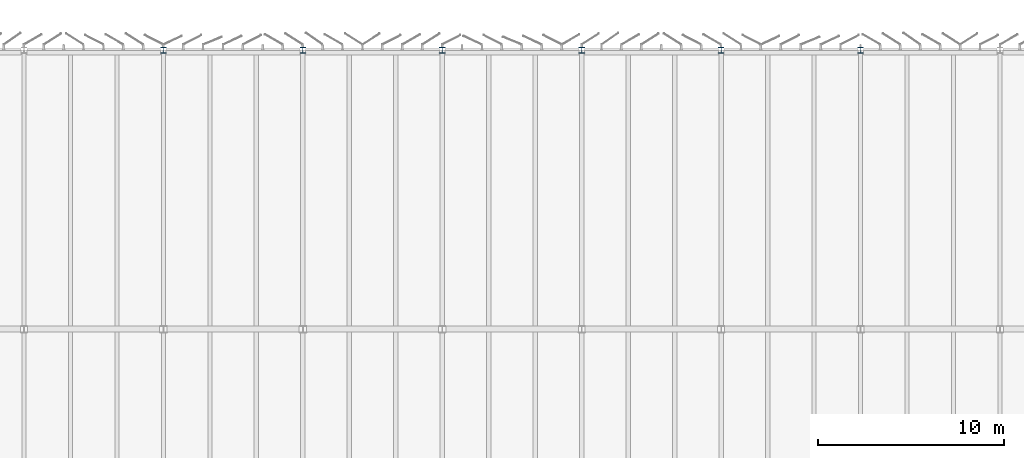
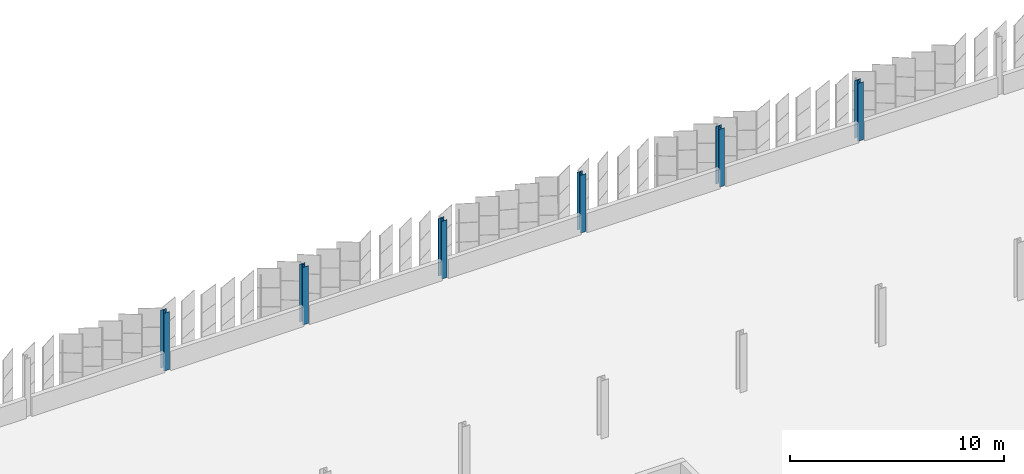
# One storey, part 25 of 199: 6 columns.
"""IFC4 building model written with IfcOpenShell, lengths in metres."""

from ifc_helpers import new_model, si_unit, direction, frame, origin, origin_2d, place, context, subcontext, project, spatial, i_section, extrude, material, material_profile, profile_set, type_object, element, save


model = new_model("IFC4")

# Units and contexts
model_context = context("Model", 3, precision=1e-05, world=origin(), true_north=direction((0.0, 1.0)))
body_context = subcontext(model_context, "Body", "Model", "MODEL_VIEW")
ifc_project = project(units=[si_unit("LENGTHUNIT", "METRE"), si_unit("AREAUNIT", "SQUARE_METRE"), si_unit("VOLUMEUNIT", "CUBIC_METRE"), si_unit("PLANEANGLEUNIT", "RADIAN"), si_unit("MASSUNIT", "GRAM", prefix="KILO")], contexts=[model_context])

# Site, building, storey
site_placement = place(None, origin())
site = spatial("IfcSite", under=ifc_project, at=site_placement, CompositionType="ELEMENT")
building_placement = place(site_placement, origin())
building = spatial("IfcBuilding", under=site, at=building_placement, Name="Parallax Yard Mobility Hub", CompositionType="ELEMENT")
storey_placement = place(building_placement, frame((0.0, 0.0, 9.89990234375)))
storey = spatial("IfcBuildingStorey", under=building, at=storey_placement, Name="L03", CompositionType="ELEMENT", Elevation=9.89990234375)

# Columns
ifc_material = material(Name="Steel ASTM A992", Category="steel")
ifc_material_profile = material_profile(ifc_material, i_section(OverallWidth=0.304931640625, OverallDepth=0.306884765625, WebThickness=0.010009765625, FlangeThickness=0.015380859375, FilletRadius=0.01513671875, at=origin_2d()), Name="W310x97")
ifc_profile_set = profile_set([ifc_material_profile], Name="Steel ASTM A992")
column_type = type_object("IfcColumnType", Name="W310x97 column", PredefinedType="COLUMN", material=ifc_profile_set)
for number, where, z_axis, x_axis, name in (
    (1, (67.5, 142.5, 0.0), (0.0, 0.0, 1.0), (1.0, 0.0, 0.0), "Column C1 level L03 at V/10 of ramped parking decks"),
    (2, (75.0, 142.5, 0.0), (0.0, 0.0, 1.0), (1.0, 0.0, 0.0), "Column C1 level L03 at V/11 of ramped parking decks"),
    (3, (82.5, 142.5, 0.0), (0.0, 0.0, 1.0), (1.0, 0.0, 0.0), "Column C1 level L03 at V/12 of ramped parking decks"),
    (4, (90.0, 142.5, 0.0), (0.0, 0.0, 1.0), (1.0, 0.0, 0.0), "Column C1 level L03 at V/13 of ramped parking decks"),
    (5, (97.5, 142.5, 0.0), (0.0, 0.0, 1.0), (1.0, 0.0, 0.0), "Column C1 level L03 at V/14 of ramped parking decks"),
    (6, (105.0, 142.5, 0.0), (0.0, 0.0, 1.0), (1.0, 0.0, 0.0), "Column C1 level L03 at V/15 of ramped parking decks"),
):
    element("IfcColumn", number, at=place(storey_placement, frame(where, z_axis=z_axis, x_axis=x_axis)), inside=storey, type_object=column_type, Name=name, PredefinedType="COLUMN", context=body_context, shape_type="SweptSolid", body=[
        extrude(i_section(OverallWidth=0.304931640625, OverallDepth=0.306884765625, WebThickness=0.010009765625, FlangeThickness=0.015380859375, FilletRadius=0.01513671875, at=origin_2d()), origin(), (0.0, 0.0, 1.0), 3.300048828125),
    ])

save(model, "model.ifc")
